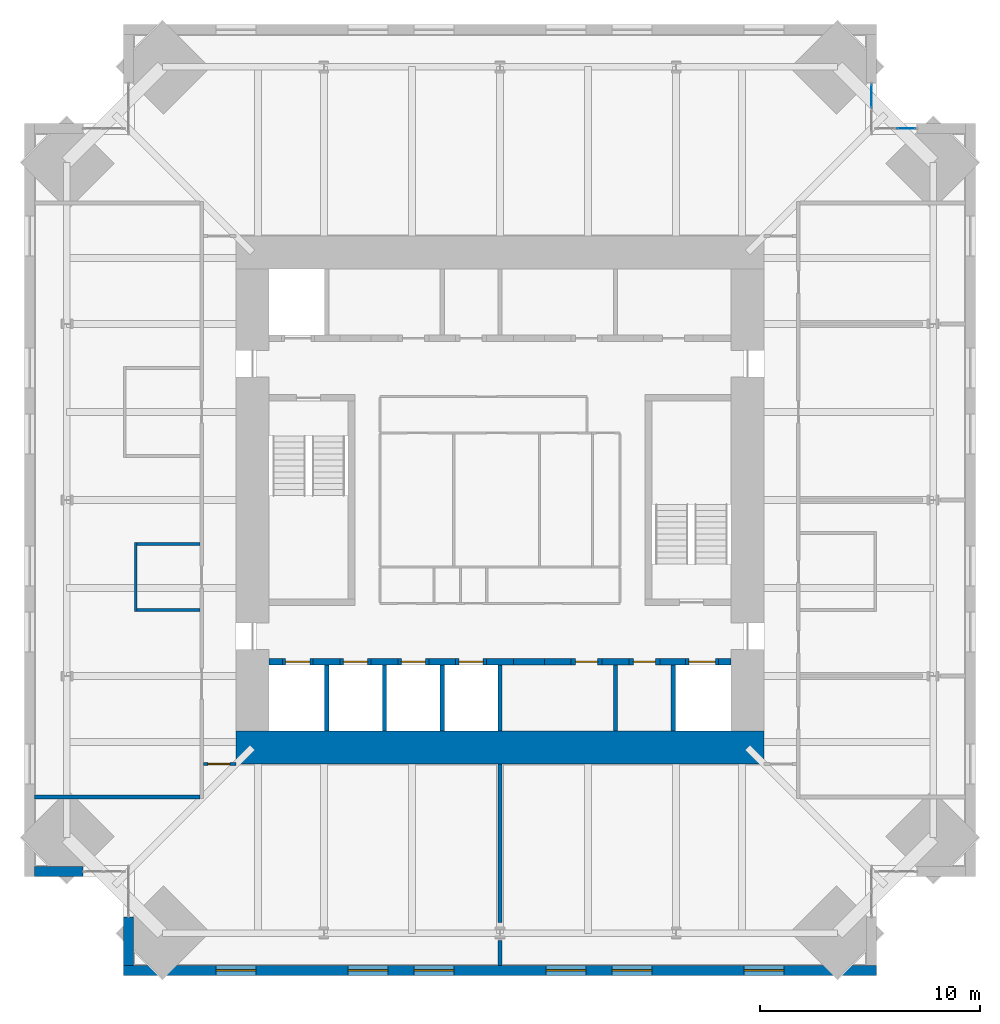
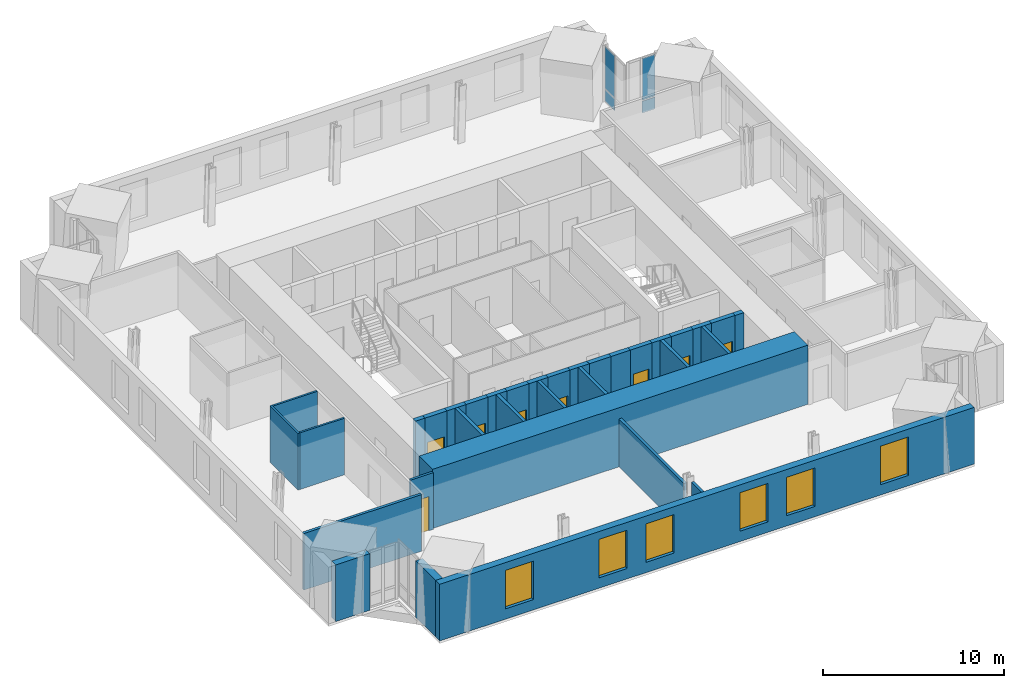
# One storey, part 11 of 16: 34 walls, 8 doors, 6 windows, 4 plates, 14 openings, 2 elements without a shape of their own.
"""IFC4 building model written with IfcOpenShell, lengths in metres."""

from ifc_helpers import new_model, si_unit, direction, frame, frame_2d, origin, origin_2d, place, context, subcontext, project, spatial, rectangle, extrude, material, layer, layer_set, type_object, element, fill, aggregate, save


model = new_model("IFC4")

# Units and contexts
model_context = context("Model", 3, precision=1e-05, world=origin(), true_north=direction((0.0, 1.0)))
body_context = subcontext(model_context, "Body", "Model", "MODEL_VIEW")
ifc_project = project(units=[si_unit("LENGTHUNIT", "METRE"), si_unit("AREAUNIT", "SQUARE_METRE"), si_unit("VOLUMEUNIT", "CUBIC_METRE"), si_unit("PLANEANGLEUNIT", "RADIAN"), si_unit("MASSUNIT", "GRAM", prefix="KILO")], contexts=[model_context])

# Site, building, storey
site_placement = place(None, origin())
site = spatial("IfcSite", under=ifc_project, at=site_placement, CompositionType="ELEMENT")
building_placement = place(site_placement, origin())
building = spatial("IfcBuilding", under=site, at=building_placement, Name="Peilmerk Tower", CompositionType="ELEMENT")
storey_placement = place(building_placement, frame((0.0, 0.0, 277.800048828125)))
storey = spatial("IfcBuildingStorey", under=building, at=storey_placement, Name="L62", CompositionType="ELEMENT", Elevation=277.800048828125)

# Curtain wall, plates
ifc_material_1 = material(Name="Aluminium stick curtain wall", Category="aluminium")
curtain_wall_type = type_object("IfcCurtainWallType", Name="CW4 stick curtain wall, 2250 module", PredefinedType="NOTDEFINED", material=ifc_material_1)
curtain_wall_1_placement = place(storey_placement, origin())
curtain_wall_1 = element("IfcCurtainWall", 1, at=curtain_wall_1_placement, inside=storey, type_object=curtain_wall_type, Name="Curtain wall CW4 NEA L62", PredefinedType="NOTDEFINED")
ifc_material_2 = material(Name="Clear insulated glazing unit", Category="glass")
ifc_layer_1 = layer(ifc_material_2, 0.028076171875)
ifc_layer_set_1 = layer_set([ifc_layer_1], Name="Clear insulated glazing unit")
plate_type = type_object("IfcPlateType", Name="CW4-P 28 glazed panel", PredefinedType="CURTAIN_PANEL", material=ifc_layer_set_1)
plate_1_placement = place(storey_placement, frame((16.875, 18.350341796875, 0.06494140625), z_axis=(0.0, 0.0, 1.0), x_axis=(0.0, 1.0, 0.0)))
plate_1 = element("IfcPlate", 2, at=plate_1_placement, type_object=plate_type, Name="CW4 panel 2.1", PredefinedType="CURTAIN_PANEL", context=body_context, shape_type="SweptSolid", body=[
    extrude(rectangle(XDim=1.046875, YDim=0.028076171875, at=origin_2d()), origin(), (0.0, 0.0, 1.0), 0.802490234375),
])
plate_2_placement = place(storey_placement, frame((16.875, 18.350341796875, 0.932373046875), z_axis=(0.0, 0.0, 1.0), x_axis=(0.0, 1.0, 0.0)))
plate_2 = element("IfcPlate", 3, at=plate_2_placement, type_object=plate_type, Name="CW4 panel 2.2", PredefinedType="CURTAIN_PANEL", context=body_context, shape_type="SweptSolid", body=[
    extrude(rectangle(XDim=1.046875, YDim=0.028076171875, at=origin_2d()), origin(), (0.0, 0.0, 1.0), 2.83251953125),
])
aggregate(curtain_wall_1, [plate_1, plate_2])

curtain_wall_2_placement = place(storey_placement, origin())
curtain_wall_2 = element("IfcCurtainWall", 4, at=curtain_wall_2_placement, inside=storey, type_object=curtain_wall_type, Name="Curtain wall CW4 NEB L62", PredefinedType="NOTDEFINED")
plate_3_placement = place(storey_placement, frame((18.462646484375, 16.875, 0.06494140625), z_axis=(0.0, 0.0, 1.0), x_axis=(1.0, 0.0, 0.0)))
plate_3 = element("IfcPlate", 5, at=plate_3_placement, type_object=plate_type, Name="CW4 panel 2.1", PredefinedType="CURTAIN_PANEL", context=body_context, shape_type="SweptSolid", body=[
    extrude(rectangle(XDim=0.82177734375, YDim=0.028076171875, at=origin_2d()), origin(), (0.0, 0.0, 1.0), 0.802490234375),
])
plate_4_placement = place(storey_placement, frame((18.462646484375, 16.875, 0.932373046875), z_axis=(0.0, 0.0, 1.0), x_axis=(1.0, 0.0, 0.0)))
plate_4 = element("IfcPlate", 6, at=plate_4_placement, type_object=plate_type, Name="CW4 panel 2.2", PredefinedType="CURTAIN_PANEL", context=body_context, shape_type="SweptSolid", body=[
    extrude(rectangle(XDim=0.82177734375, YDim=0.028076171875, at=origin_2d()), origin(), (0.0, 0.0, 1.0), 2.83251953125),
])
aggregate(curtain_wall_2, [plate_3, plate_4])

# Wall, openings, windows
ifc_material_3 = material(Name="Precast concrete C45/55, board-marked finish", Category="concrete")
ifc_layer_2 = layer(ifc_material_3, 0.449951171875)
ifc_layer_set_2 = layer_set([ifc_layer_2], Name="Precast concrete C45/55, board-marked finish")
wall_type_1 = type_object("IfcWallType", Name="EW1 450 precast concrete facade wall, board-marked", PredefinedType="SOLIDWALL", material=ifc_layer_set_2)
wall_1_placement = place(storey_placement, frame((-17.10009765625, -21.375, 0.0), z_axis=(0.0, 0.0, 1.0), x_axis=(1.0, 0.0, 0.0)))
wall_1 = element("IfcWall", 7, at=wall_1_placement, inside=storey, type_object=wall_type_1, Name="Facade wall S L62", PredefinedType="SOLIDWALL", context=body_context, shape_type="SweptSolid", body=[
    extrude(rectangle(XDim=34.2001953125, YDim=0.449951171875, at=frame_2d((17.10009765625, 0.0))), origin(), (0.0, 0.0, 1.0), 3.829833984375),
])
opening_1_placement = place(wall_1_placement, frame((4.199951171875, 0.0, 0.699951171875)))
opening_1 = element("IfcOpeningElement", 8, at=opening_1_placement, cuts=wall_1, Name="Opening W1", PredefinedType="OPENING", context=body_context, shape_type="SweptSolid", body=[
    extrude(rectangle(XDim=1.800048828125, YDim=2.60009765625, at=frame_2d((0.89990234375, 1.300048828125))), frame((0.0, 0.23486328125, 0.0), z_axis=(0.0, -1.0, 0.0), x_axis=(1.0, 0.0, 0.0)), (0.0, 0.0, 1.0), 0.469970703125),
])
opening_2_placement = place(wall_1_placement, frame((10.199951171875, 0.0, 0.699951171875)))
opening_2 = element("IfcOpeningElement", 9, at=opening_2_placement, cuts=wall_1, Name="Opening W1", PredefinedType="OPENING", context=body_context, shape_type="SweptSolid", body=[
    extrude(rectangle(XDim=1.800048828125, YDim=2.60009765625, at=frame_2d((0.89990234375, 1.300048828125))), frame((0.0, 0.23486328125, 0.0), z_axis=(0.0, -1.0, 0.0), x_axis=(1.0, 0.0, 0.0)), (0.0, 0.0, 1.0), 0.469970703125),
])
opening_3_placement = place(wall_1_placement, frame((13.199951171875, 0.0, 0.699951171875)))
opening_3 = element("IfcOpeningElement", 10, at=opening_3_placement, cuts=wall_1, Name="Opening W1", PredefinedType="OPENING", context=body_context, shape_type="SweptSolid", body=[
    extrude(rectangle(XDim=1.800048828125, YDim=2.60009765625, at=frame_2d((0.89990234375, 1.300048828125))), frame((0.0, 0.23486328125, 0.0), z_axis=(0.0, -1.0, 0.0), x_axis=(1.0, 0.0, 0.0)), (0.0, 0.0, 1.0), 0.469970703125),
])
opening_4_placement = place(wall_1_placement, frame((19.199951171875, 0.0, 0.699951171875)))
opening_4 = element("IfcOpeningElement", 11, at=opening_4_placement, cuts=wall_1, Name="Opening W1", PredefinedType="OPENING", context=body_context, shape_type="SweptSolid", body=[
    extrude(rectangle(XDim=1.800048828125, YDim=2.60009765625, at=frame_2d((0.89990234375, 1.300048828125))), frame((0.0, 0.23486328125, 0.0), z_axis=(0.0, -1.0, 0.0), x_axis=(1.0, 0.0, 0.0)), (0.0, 0.0, 1.0), 0.469970703125),
])
opening_5_placement = place(wall_1_placement, frame((22.199951171875, 0.0, 0.699951171875)))
opening_5 = element("IfcOpeningElement", 12, at=opening_5_placement, cuts=wall_1, Name="Opening W1", PredefinedType="OPENING", context=body_context, shape_type="SweptSolid", body=[
    extrude(rectangle(XDim=1.800048828125, YDim=2.60009765625, at=frame_2d((0.89990234375, 1.300048828125))), frame((0.0, 0.23486328125, 0.0), z_axis=(0.0, -1.0, 0.0), x_axis=(1.0, 0.0, 0.0)), (0.0, 0.0, 1.0), 0.469970703125),
])
opening_6_placement = place(wall_1_placement, frame((28.199951171875, 0.0, 0.699951171875)))
opening_6 = element("IfcOpeningElement", 13, at=opening_6_placement, cuts=wall_1, Name="Opening W1", PredefinedType="OPENING", context=body_context, shape_type="SweptSolid", body=[
    extrude(rectangle(XDim=1.800048828125, YDim=2.60009765625, at=frame_2d((0.89990234375, 1.300048828125))), frame((0.0, 0.23486328125, 0.0), z_axis=(0.0, -1.0, 0.0), x_axis=(1.0, 0.0, 0.0)), (0.0, 0.0, 1.0), 0.469970703125),
])
ifc_material_4 = material(Name="Aluminium frame, clear double glazing", Category="aluminium")
window_type = type_object("IfcWindowType", Name="W1 1800x2600 office window", PartitioningType="SINGLE_PANEL", PredefinedType="WINDOW", material=ifc_material_4)
window_1_placement = place(opening_1_placement, origin())
window_1 = element("IfcWindow", 14, at=window_1_placement, inside=storey, type_object=window_type, Name="Window W1 L62", OverallHeight=2.60009765625, OverallWidth=1.800048828125, PartitioningType="SINGLE_PANEL", PredefinedType="WINDOW", context=body_context, shape_type="SweptSolid", body=[
    extrude(rectangle(XDim=1.800048828125, YDim=2.60009765625, at=frame_2d((0.89990234375, 1.300048828125))), frame((0.0, 0.030029296875, 0.0), z_axis=(0.0, -1.0, 0.0), x_axis=(1.0, 0.0, 0.0)), (0.0, 0.0, 1.0), 0.06005859375),
])
fill(opening_1, window_1)
window_2_placement = place(opening_2_placement, origin())
window_2 = element("IfcWindow", 15, at=window_2_placement, inside=storey, type_object=window_type, Name="Window W1 L62", OverallHeight=2.60009765625, OverallWidth=1.800048828125, PartitioningType="SINGLE_PANEL", PredefinedType="WINDOW", context=body_context, shape_type="SweptSolid", body=[
    extrude(rectangle(XDim=1.800048828125, YDim=2.60009765625, at=frame_2d((0.89990234375, 1.300048828125))), frame((0.0, 0.030029296875, 0.0), z_axis=(0.0, -1.0, 0.0), x_axis=(1.0, 0.0, 0.0)), (0.0, 0.0, 1.0), 0.06005859375),
])
fill(opening_2, window_2)
window_3_placement = place(opening_3_placement, origin())
window_3 = element("IfcWindow", 16, at=window_3_placement, inside=storey, type_object=window_type, Name="Window W1 L62", OverallHeight=2.60009765625, OverallWidth=1.800048828125, PartitioningType="SINGLE_PANEL", PredefinedType="WINDOW", context=body_context, shape_type="SweptSolid", body=[
    extrude(rectangle(XDim=1.800048828125, YDim=2.60009765625, at=frame_2d((0.89990234375, 1.300048828125))), frame((0.0, 0.030029296875, 0.0), z_axis=(0.0, -1.0, 0.0), x_axis=(1.0, 0.0, 0.0)), (0.0, 0.0, 1.0), 0.06005859375),
])
fill(opening_3, window_3)
window_4_placement = place(opening_4_placement, origin())
window_4 = element("IfcWindow", 17, at=window_4_placement, inside=storey, type_object=window_type, Name="Window W1 L62", OverallHeight=2.60009765625, OverallWidth=1.800048828125, PartitioningType="SINGLE_PANEL", PredefinedType="WINDOW", context=body_context, shape_type="SweptSolid", body=[
    extrude(rectangle(XDim=1.800048828125, YDim=2.60009765625, at=frame_2d((0.89990234375, 1.300048828125))), frame((0.0, 0.030029296875, 0.0), z_axis=(0.0, -1.0, 0.0), x_axis=(1.0, 0.0, 0.0)), (0.0, 0.0, 1.0), 0.06005859375),
])
fill(opening_4, window_4)
window_5_placement = place(opening_5_placement, origin())
window_5 = element("IfcWindow", 18, at=window_5_placement, inside=storey, type_object=window_type, Name="Window W1 L62", OverallHeight=2.60009765625, OverallWidth=1.800048828125, PartitioningType="SINGLE_PANEL", PredefinedType="WINDOW", context=body_context, shape_type="SweptSolid", body=[
    extrude(rectangle(XDim=1.800048828125, YDim=2.60009765625, at=frame_2d((0.89990234375, 1.300048828125))), frame((0.0, 0.030029296875, 0.0), z_axis=(0.0, -1.0, 0.0), x_axis=(1.0, 0.0, 0.0)), (0.0, 0.0, 1.0), 0.06005859375),
])
fill(opening_5, window_5)
window_6_placement = place(opening_6_placement, origin())
window_6 = element("IfcWindow", 19, at=window_6_placement, inside=storey, type_object=window_type, Name="Window W1 L62", OverallHeight=2.60009765625, OverallWidth=1.800048828125, PartitioningType="SINGLE_PANEL", PredefinedType="WINDOW", context=body_context, shape_type="SweptSolid", body=[
    extrude(rectangle(XDim=1.800048828125, YDim=2.60009765625, at=frame_2d((0.89990234375, 1.300048828125))), frame((0.0, 0.030029296875, 0.0), z_axis=(0.0, -1.0, 0.0), x_axis=(1.0, 0.0, 0.0)), (0.0, 0.0, 1.0), 0.06005859375),
])
fill(opening_6, window_6)

# Walls
for number, where, z_axis, x_axis, name in (
    (20, (-16.875, -18.95361328125, 0.0), (0.0, 0.0, 1.0), (0.0, -1.0, 0.0), "Facade wall SWA L62"),
    (21, (-18.95361328125, -16.875, 0.0), (0.0, 0.0, 1.0), (-1.0, 0.0, 0.0), "Facade wall SWB L62"),
):
    element("IfcWall", number, at=place(storey_placement, frame(where, z_axis=z_axis, x_axis=x_axis)), inside=storey, type_object=wall_type_1, Name=name, PredefinedType="SOLIDWALL", context=body_context, shape_type="SweptSolid", body=[
        extrude(rectangle(XDim=2.1962890625, YDim=0.449951171875, at=frame_2d((1.09814453125, 0.0))), origin(), (0.0, 0.0, 1.0), 3.829833984375),
    ])

# Wall, opening, door
ifc_material_5 = material(Name="Calcium silicate block", Category="masonry")
ifc_layer_3 = layer(ifc_material_5, 0.14990234375)
ifc_layer_set_3 = layer_set([ifc_layer_3], Name="Calcium silicate block")
wall_type_2 = type_object("IfcWallType", Name="IW1 150 corridor partition, EI 60", PredefinedType="PARTITIONING", material=ifc_layer_set_3)
wall_2_placement = place(storey_placement, frame((-12.0, -12.0, 0.0), z_axis=(0.0, 0.0, 1.0), x_axis=(-1.0, 0.0, 0.0)))
wall_2 = element("IfcWall", 22, at=wall_2_placement, inside=storey, type_object=wall_type_2, Name="Corridor wall SW L62", PredefinedType="PARTITIONING", context=body_context, shape_type="SweptSolid", body=[
    extrude(rectangle(XDim=1.47509765625, YDim=0.14990234375, at=frame_2d((0.737548828125, 0.0))), origin(), (0.0, 0.0, 1.0), 3.829833984375),
])
opening_7_placement = place(wall_2_placement, frame((0.27490234375, 0.0, 0.0)))
opening_7 = element("IfcOpeningElement", 23, at=opening_7_placement, cuts=wall_2, Name="Opening D1", PredefinedType="OPENING", context=body_context, shape_type="SweptSolid", body=[
    extrude(rectangle(XDim=1.0, YDim=2.300048828125, at=frame_2d((0.5, 1.14990234375))), frame((0.0, 0.0849609375, 0.0), z_axis=(0.0, -1.0, 0.0), x_axis=(1.0, 0.0, 0.0)), (0.0, 0.0, 1.0), 0.169921875),
])
ifc_material_6 = material(Name="Timber door in steel frame", Category="steel")
door_type_1 = type_object("IfcDoorType", Name="D1 1000x2300 room door, EI2 30", OperationType="SINGLE_SWING_LEFT", PredefinedType="DOOR", material=ifc_material_6)
door_1_placement = place(opening_7_placement, origin())
door_1 = element("IfcDoor", 24, at=door_1_placement, inside=storey, type_object=door_type_1, Name="Door Open workspace L62", OperationType="SINGLE_SWING_LEFT", OverallHeight=2.300048828125, OverallWidth=1.0, PredefinedType="DOOR", context=body_context, shape_type="SweptSolid", body=[
    extrude(rectangle(XDim=1.0, YDim=2.300048828125, at=frame_2d((0.5, 1.14990234375))), frame((0.0, 0.02490234375, 0.0), z_axis=(0.0, -1.0, 0.0), x_axis=(1.0, 0.0, 0.0)), (0.0, 0.0, 1.0), 0.050048828125),
])
fill(opening_7, door_1)

# Walls
ifc_material_7 = material(Name="Plasterboard on steel studs, double boarded with mineral wool", Category="steel")
ifc_layer_4 = layer(ifc_material_7, 0.125)
ifc_layer_set_4 = layer_set([ifc_layer_4], Name="Plasterboard on steel studs, double boarded with mineral wool")
wall_type_3 = type_object("IfcWallType", Name="IW7 125 acoustic partition, EI 30", PredefinedType="PARTITIONING", material=ifc_layer_set_4)
wall_3_placement = place(storey_placement, frame((-16.550048828125, -5.0625, 0.0), z_axis=(0.0, 0.0, 1.0), x_axis=(0.0, 1.0, 0.0)))
element("IfcWall", 25, at=wall_3_placement, inside=storey, type_object=wall_type_3, Name="Acoustic partition Quiet room L62", PredefinedType="PARTITIONING", context=body_context, shape_type="SweptSolid", body=[
    extrude(rectangle(XDim=3.125, YDim=0.125, at=frame_2d((1.5625, 0.0))), origin(), (0.0, 0.0, 1.0), 3.829833984375),
])
for number, where, z_axis, x_axis, name in (
    (26, (-13.625, -5.0, 0.0), (0.0, 0.0, 1.0), (-1.0, 0.0, 0.0), "Acoustic partition Quiet room L62"),
    (27, (-13.625, -2.0, 0.0), (0.0, 0.0, 1.0), (-1.0, 0.0, 0.0), "Acoustic partition Quiet room L62"),
):
    element("IfcWall", number, at=place(storey_placement, frame(where, z_axis=z_axis, x_axis=x_axis)), inside=storey, type_object=wall_type_3, Name=name, PredefinedType="PARTITIONING", context=body_context, shape_type="SweptSolid", body=[
        extrude(rectangle(XDim=2.862548828125, YDim=0.125, at=frame_2d((1.43115234375, 0.0))), origin(), (0.0, 0.0, 1.0), 3.829833984375),
    ])
ifc_layer_5 = layer(ifc_material_5, 0.175048828125)
ifc_layer_set_5 = layer_set([ifc_layer_5], Name="Calcium silicate block")
wall_type_4 = type_object("IfcWallType", Name="IW8 175 tenant separating wall, EI 60", PredefinedType="PARTITIONING", material=ifc_layer_set_5)
wall_4_placement = place(storey_placement, frame((-13.625, -13.5, 0.0), z_axis=(0.0, 0.0, 1.0), x_axis=(-1.0, 0.0, 0.0)))
element("IfcWall", 28, at=wall_4_placement, inside=storey, type_object=wall_type_4, Name="Tenant separating wall SW L62", PredefinedType="PARTITIONING", context=body_context, shape_type="SweptSolid", body=[
    extrude(rectangle(XDim=7.52490234375, YDim=0.175048828125, at=frame_2d((3.762451171875, 0.0))), origin(), (0.0, 0.0, 1.0), 3.829833984375),
])
wall_5_placement = place(storey_placement, frame((0.0, -12.0, 0.0), z_axis=(0.0, 0.0, 1.0), x_axis=(0.0, -1.0, 0.0)))
element("IfcWall", 29, at=wall_5_placement, inside=storey, type_object=wall_type_4, Name="Tenant separating wall S1 L62", PredefinedType="PARTITIONING", context=body_context, shape_type="SweptSolid", body=[
    extrude(rectangle(XDim=7.204345703125, YDim=0.175048828125, at=frame_2d((3.60205078125, 0.0))), origin(), (0.0, 0.0, 1.0), 3.239990234375),
])
wall_6_placement = place(storey_placement, frame((0.0, -20.02490234375, 0.0), z_axis=(0.0, 0.0, 1.0), x_axis=(0.0, -1.0, 0.0)))
element("IfcWall", 30, at=wall_6_placement, inside=storey, type_object=wall_type_4, Name="Tenant separating wall S1b L62", PredefinedType="PARTITIONING", context=body_context, shape_type="SweptSolid", body=[
    extrude(rectangle(XDim=1.125, YDim=0.175048828125, at=frame_2d((0.5625, 0.0))), origin(), (0.0, 0.0, 1.0), 3.829833984375),
])
ifc_layer_6 = layer(ifc_material_5, 0.199951171875)
ifc_layer_set_6 = layer_set([ifc_layer_6], Name="Calcium silicate block")
wall_type_5 = type_object("IfcWallType", Name="SH1 200 shaft dividing wall, EI 120", PredefinedType="PARTITIONING", material=ifc_layer_set_6)
for number, where, z_axis, x_axis, name in (
    (31, (-7.875, -10.5, 0.0), (0.0, 0.0, 1.0), (0.0, 1.0, 0.0), "Shaft wall S C4 L62"),
    (32, (-5.25, -10.5, 0.0), (0.0, 0.0, 1.0), (0.0, 1.0, 0.0), "Shaft wall S C3 L62"),
    (33, (-2.625, -10.5, 0.0), (0.0, 0.0, 1.0), (0.0, 1.0, 0.0), "Shaft wall S C2 L62"),
    (34, (0.0, -10.5, 0.0), (0.0, 0.0, 1.0), (0.0, 1.0, 0.0), "Shaft wall S C1 L62"),
    (35, (5.25, -10.5, 0.0), (0.0, 0.0, 1.0), (0.0, 1.0, 0.0), "Shaft wall S B2 L62"),
    (36, (7.875, -10.5, 0.0), (0.0, 0.0, 1.0), (0.0, 1.0, 0.0), "Shaft wall S B1 L62"),
):
    element("IfcWall", number, at=place(storey_placement, frame(where, z_axis=z_axis, x_axis=x_axis)), inside=storey, type_object=wall_type_5, Name=name, PredefinedType="PARTITIONING", context=body_context, shape_type="SweptSolid", body=[
        extrude(rectangle(XDim=3.0, YDim=0.199951171875, at=frame_2d((1.5, 0.0))), origin(), (0.0, 0.0, 1.0), 4.0),
    ])

# Wall, opening, door
ifc_layer_7 = layer(ifc_material_5, 0.300048828125)
ifc_layer_set_7 = layer_set([ifc_layer_7], Name="Calcium silicate block")
wall_type_6 = type_object("IfcWallType", Name="SH2 300 lift landing door panel, EI 120", PredefinedType="PARTITIONING", material=ifc_layer_set_7)
wall_7_placement = place(storey_placement, frame((-9.887451171875, -7.35009765625, 0.0), z_axis=(0.0, 0.0, 1.0), x_axis=(1.0, 0.0, 0.0)))
wall_7 = element("IfcWall", 37, at=wall_7_placement, inside=storey, type_object=wall_type_6, Name="Lift door panel S C4 L62", PredefinedType="PARTITIONING", context=body_context, shape_type="SweptSolid", body=[
    extrude(rectangle(XDim=1.39990234375, YDim=0.300048828125, at=frame_2d((0.699951171875, 0.0))), origin(), (0.0, 0.0, 1.0), 4.0),
])
opening_8_placement = place(wall_7_placement, frame((0.14990234375, 0.0, 0.0)))
opening_8 = element("IfcOpeningElement", 38, at=opening_8_placement, cuts=wall_7, Name="Opening LD1", PredefinedType="OPENING", context=body_context, shape_type="SweptSolid", body=[
    extrude(rectangle(XDim=1.10009765625, YDim=2.300048828125, at=frame_2d((0.550048828125, 1.14990234375))), frame((0.0, 0.159912109375, 0.0), z_axis=(0.0, -1.0, 0.0), x_axis=(1.0, 0.0, 0.0)), (0.0, 0.0, 1.0), 0.320068359375),
])
ifc_material_8 = material(Name="Stainless steel landing door", Category="steel")
door_type_2 = type_object("IfcDoorType", Name="LD1 1100x2300 lift landing door, sliding, EI2 60", OperationType="SLIDING_TO_LEFT", PredefinedType="DOOR", material=ifc_material_8)
door_2_placement = place(opening_8_placement, origin())
door_2 = element("IfcDoor", 39, at=door_2_placement, inside=storey, type_object=door_type_2, Name="Lift landing door C4 L62", OperationType="SLIDING_TO_LEFT", OverallHeight=2.300048828125, OverallWidth=1.10009765625, PredefinedType="DOOR", context=body_context, shape_type="SweptSolid", body=[
    extrude(rectangle(XDim=1.10009765625, YDim=2.300048828125, at=frame_2d((0.550048828125, 1.14990234375))), frame((0.0, 0.02490234375, 0.0), z_axis=(0.0, -1.0, 0.0), x_axis=(1.0, 0.0, 0.0)), (0.0, 0.0, 1.0), 0.050048828125),
])
fill(opening_8, door_2)

wall_8_placement = place(storey_placement, frame((-7.262451171875, -7.35009765625, 0.0), z_axis=(0.0, 0.0, 1.0), x_axis=(1.0, 0.0, 0.0)))
wall_8 = element("IfcWall", 40, at=wall_8_placement, inside=storey, type_object=wall_type_6, Name="Lift door panel S C3 L62", PredefinedType="PARTITIONING", context=body_context, shape_type="SweptSolid", body=[
    extrude(rectangle(XDim=1.39990234375, YDim=0.300048828125, at=frame_2d((0.699951171875, 0.0))), origin(), (0.0, 0.0, 1.0), 4.0),
])
opening_9_placement = place(wall_8_placement, frame((0.14990234375, 0.0, 0.0)))
opening_9 = element("IfcOpeningElement", 41, at=opening_9_placement, cuts=wall_8, Name="Opening LD1", PredefinedType="OPENING", context=body_context, shape_type="SweptSolid", body=[
    extrude(rectangle(XDim=1.10009765625, YDim=2.300048828125, at=frame_2d((0.550048828125, 1.14990234375))), frame((0.0, 0.159912109375, 0.0), z_axis=(0.0, -1.0, 0.0), x_axis=(1.0, 0.0, 0.0)), (0.0, 0.0, 1.0), 0.320068359375),
])
door_3_placement = place(opening_9_placement, origin())
door_3 = element("IfcDoor", 42, at=door_3_placement, inside=storey, type_object=door_type_2, Name="Lift landing door C3 L62", OperationType="SLIDING_TO_LEFT", OverallHeight=2.300048828125, OverallWidth=1.10009765625, PredefinedType="DOOR", context=body_context, shape_type="SweptSolid", body=[
    extrude(rectangle(XDim=1.10009765625, YDim=2.300048828125, at=frame_2d((0.550048828125, 1.14990234375))), frame((0.0, 0.02490234375, 0.0), z_axis=(0.0, -1.0, 0.0), x_axis=(1.0, 0.0, 0.0)), (0.0, 0.0, 1.0), 0.050048828125),
])
fill(opening_9, door_3)

wall_9_placement = place(storey_placement, frame((-4.637451171875, -7.35009765625, 0.0), z_axis=(0.0, 0.0, 1.0), x_axis=(1.0, 0.0, 0.0)))
wall_9 = element("IfcWall", 43, at=wall_9_placement, inside=storey, type_object=wall_type_6, Name="Lift door panel S C2 L62", PredefinedType="PARTITIONING", context=body_context, shape_type="SweptSolid", body=[
    extrude(rectangle(XDim=1.39990234375, YDim=0.300048828125, at=frame_2d((0.699951171875, 0.0))), origin(), (0.0, 0.0, 1.0), 4.0),
])
opening_10_placement = place(wall_9_placement, frame((0.14990234375, 0.0, 0.0)))
opening_10 = element("IfcOpeningElement", 44, at=opening_10_placement, cuts=wall_9, Name="Opening LD1", PredefinedType="OPENING", context=body_context, shape_type="SweptSolid", body=[
    extrude(rectangle(XDim=1.10009765625, YDim=2.300048828125, at=frame_2d((0.550048828125, 1.14990234375))), frame((0.0, 0.159912109375, 0.0), z_axis=(0.0, -1.0, 0.0), x_axis=(1.0, 0.0, 0.0)), (0.0, 0.0, 1.0), 0.320068359375),
])
door_4_placement = place(opening_10_placement, origin())
door_4 = element("IfcDoor", 45, at=door_4_placement, inside=storey, type_object=door_type_2, Name="Lift landing door C2 L62", OperationType="SLIDING_TO_LEFT", OverallHeight=2.300048828125, OverallWidth=1.10009765625, PredefinedType="DOOR", context=body_context, shape_type="SweptSolid", body=[
    extrude(rectangle(XDim=1.10009765625, YDim=2.300048828125, at=frame_2d((0.550048828125, 1.14990234375))), frame((0.0, 0.02490234375, 0.0), z_axis=(0.0, -1.0, 0.0), x_axis=(1.0, 0.0, 0.0)), (0.0, 0.0, 1.0), 0.050048828125),
])
fill(opening_10, door_4)

wall_10_placement = place(storey_placement, frame((-2.012451171875, -7.35009765625, 0.0), z_axis=(0.0, 0.0, 1.0), x_axis=(1.0, 0.0, 0.0)))
wall_10 = element("IfcWall", 46, at=wall_10_placement, inside=storey, type_object=wall_type_6, Name="Lift door panel S C1 L62", PredefinedType="PARTITIONING", context=body_context, shape_type="SweptSolid", body=[
    extrude(rectangle(XDim=1.39990234375, YDim=0.300048828125, at=frame_2d((0.699951171875, 0.0))), origin(), (0.0, 0.0, 1.0), 4.0),
])
opening_11_placement = place(wall_10_placement, frame((0.14990234375, 0.0, 0.0)))
opening_11 = element("IfcOpeningElement", 47, at=opening_11_placement, cuts=wall_10, Name="Opening LD1", PredefinedType="OPENING", context=body_context, shape_type="SweptSolid", body=[
    extrude(rectangle(XDim=1.10009765625, YDim=2.300048828125, at=frame_2d((0.550048828125, 1.14990234375))), frame((0.0, 0.159912109375, 0.0), z_axis=(0.0, -1.0, 0.0), x_axis=(1.0, 0.0, 0.0)), (0.0, 0.0, 1.0), 0.320068359375),
])
door_5_placement = place(opening_11_placement, origin())
door_5 = element("IfcDoor", 48, at=door_5_placement, inside=storey, type_object=door_type_2, Name="Lift landing door C1 L62", OperationType="SLIDING_TO_LEFT", OverallHeight=2.300048828125, OverallWidth=1.10009765625, PredefinedType="DOOR", context=body_context, shape_type="SweptSolid", body=[
    extrude(rectangle(XDim=1.10009765625, YDim=2.300048828125, at=frame_2d((0.550048828125, 1.14990234375))), frame((0.0, 0.02490234375, 0.0), z_axis=(0.0, -1.0, 0.0), x_axis=(1.0, 0.0, 0.0)), (0.0, 0.0, 1.0), 0.050048828125),
])
fill(opening_11, door_5)

# Wall
wall_11_placement = place(storey_placement, frame((0.612548828125, -7.35009765625, 0.0), z_axis=(0.0, 0.0, 1.0), x_axis=(1.0, 0.0, 0.0)))
element("IfcWall", 49, at=wall_11_placement, inside=storey, type_object=wall_type_6, Name="Lift door panel S B3 L62", PredefinedType="PARTITIONING", context=body_context, shape_type="SweptSolid", body=[
    extrude(rectangle(XDim=1.39990234375, YDim=0.300048828125, at=frame_2d((0.699951171875, 0.0))), origin(), (0.0, 0.0, 1.0), 4.0),
])

# Wall, opening, door
wall_12_placement = place(storey_placement, frame((3.237548828125, -7.35009765625, 0.0), z_axis=(0.0, 0.0, 1.0), x_axis=(1.0, 0.0, 0.0)))
wall_12 = element("IfcWall", 50, at=wall_12_placement, inside=storey, type_object=wall_type_6, Name="Lift door panel S B2 L62", PredefinedType="PARTITIONING", context=body_context, shape_type="SweptSolid", body=[
    extrude(rectangle(XDim=1.39990234375, YDim=0.300048828125, at=frame_2d((0.699951171875, 0.0))), origin(), (0.0, 0.0, 1.0), 4.0),
])
opening_12_placement = place(wall_12_placement, frame((0.199951171875, 0.0, 0.0)))
opening_12 = element("IfcOpeningElement", 51, at=opening_12_placement, cuts=wall_12, Name="Opening D10", PredefinedType="OPENING", context=body_context, shape_type="SweptSolid", body=[
    extrude(rectangle(XDim=1.0, YDim=2.300048828125, at=frame_2d((0.5, 1.14990234375))), frame((0.0, 0.159912109375, 0.0), z_axis=(0.0, -1.0, 0.0), x_axis=(1.0, 0.0, 0.0)), (0.0, 0.0, 1.0), 0.320068359375),
])
ifc_material_9 = material(Name="Steel door in steel frame", Category="steel")
door_type_3 = type_object("IfcDoorType", Name="D10 1000x2300 core room door, EI2 60", OperationType="SINGLE_SWING_RIGHT", PredefinedType="DOOR", material=ifc_material_9)
door_6_placement = place(opening_12_placement, frame((1.0, 0.0, 0.0), z_axis=(0.0, 0.0, 1.0), x_axis=(-1.0, 0.0, 0.0)))
door_6 = element("IfcDoor", 52, at=door_6_placement, inside=storey, type_object=door_type_3, Name="Door Mail room L62", OperationType="SINGLE_SWING_RIGHT", OverallHeight=2.300048828125, OverallWidth=1.0, PredefinedType="DOOR", context=body_context, shape_type="SweptSolid", body=[
    extrude(rectangle(XDim=1.0, YDim=2.300048828125, at=frame_2d((0.5, 1.14990234375))), frame((0.0, 0.02490234375, 0.0), z_axis=(0.0, -1.0, 0.0), x_axis=(1.0, 0.0, 0.0)), (0.0, 0.0, 1.0), 0.050048828125),
])
fill(opening_12, door_6)

wall_13_placement = place(storey_placement, frame((5.862548828125, -7.35009765625, 0.0), z_axis=(0.0, 0.0, 1.0), x_axis=(1.0, 0.0, 0.0)))
wall_13 = element("IfcWall", 53, at=wall_13_placement, inside=storey, type_object=wall_type_6, Name="Lift door panel S B1 L62", PredefinedType="PARTITIONING", context=body_context, shape_type="SweptSolid", body=[
    extrude(rectangle(XDim=1.39990234375, YDim=0.300048828125, at=frame_2d((0.699951171875, 0.0))), origin(), (0.0, 0.0, 1.0), 4.0),
])
opening_13_placement = place(wall_13_placement, frame((0.199951171875, 0.0, 0.0)))
opening_13 = element("IfcOpeningElement", 54, at=opening_13_placement, cuts=wall_13, Name="Opening D10", PredefinedType="OPENING", context=body_context, shape_type="SweptSolid", body=[
    extrude(rectangle(XDim=1.0, YDim=2.300048828125, at=frame_2d((0.5, 1.14990234375))), frame((0.0, 0.159912109375, 0.0), z_axis=(0.0, -1.0, 0.0), x_axis=(1.0, 0.0, 0.0)), (0.0, 0.0, 1.0), 0.320068359375),
])
door_7_placement = place(opening_13_placement, frame((1.0, 0.0, 0.0), z_axis=(0.0, 0.0, 1.0), x_axis=(-1.0, 0.0, 0.0)))
door_7 = element("IfcDoor", 55, at=door_7_placement, inside=storey, type_object=door_type_3, Name="Door Electrical room L62", OperationType="SINGLE_SWING_RIGHT", OverallHeight=2.300048828125, OverallWidth=1.0, PredefinedType="DOOR", context=body_context, shape_type="SweptSolid", body=[
    extrude(rectangle(XDim=1.0, YDim=2.300048828125, at=frame_2d((0.5, 1.14990234375))), frame((0.0, 0.02490234375, 0.0), z_axis=(0.0, -1.0, 0.0), x_axis=(1.0, 0.0, 0.0)), (0.0, 0.0, 1.0), 0.050048828125),
])
fill(opening_13, door_7)

wall_14_placement = place(storey_placement, frame((8.4375, -7.35009765625, 0.0), z_axis=(0.0, 0.0, 1.0), x_axis=(1.0, 0.0, 0.0)))
wall_14 = element("IfcWall", 56, at=wall_14_placement, inside=storey, type_object=wall_type_6, Name="Lift door panel S FL2 L62", PredefinedType="PARTITIONING", context=body_context, shape_type="SweptSolid", body=[
    extrude(rectangle(XDim=1.5, YDim=0.300048828125, at=frame_2d((0.75, 0.0))), origin(), (0.0, 0.0, 1.0), 4.0),
])
opening_14_placement = place(wall_14_placement, frame((0.14990234375, 0.0, 0.0)))
opening_14 = element("IfcOpeningElement", 57, at=opening_14_placement, cuts=wall_14, Name="Opening LD2", PredefinedType="OPENING", context=body_context, shape_type="SweptSolid", body=[
    extrude(rectangle(XDim=1.199951171875, YDim=2.300048828125, at=frame_2d((0.60009765625, 1.14990234375))), frame((0.0, 0.159912109375, 0.0), z_axis=(0.0, -1.0, 0.0), x_axis=(1.0, 0.0, 0.0)), (0.0, 0.0, 1.0), 0.320068359375),
])
door_type_4 = type_object("IfcDoorType", Name="LD2 1200x2300 lift landing door, sliding, EI2 60", OperationType="SLIDING_TO_LEFT", PredefinedType="DOOR", material=ifc_material_8)
door_8_placement = place(opening_14_placement, origin())
door_8 = element("IfcDoor", 58, at=door_8_placement, inside=storey, type_object=door_type_4, Name="Lift landing door FL2 L62", OperationType="SLIDING_TO_LEFT", OverallHeight=2.300048828125, OverallWidth=1.199951171875, PredefinedType="DOOR", context=body_context, shape_type="SweptSolid", body=[
    extrude(rectangle(XDim=1.199951171875, YDim=2.300048828125, at=frame_2d((0.60009765625, 1.14990234375))), frame((0.0, 0.02490234375, 0.0), z_axis=(0.0, -1.0, 0.0), x_axis=(1.0, 0.0, 0.0)), (0.0, 0.0, 1.0), 0.050048828125),
])
fill(opening_14, door_8)

# Walls
ifc_material_10 = material(Name="Concrete C55/67", Category="concrete")
ifc_layer_8 = layer(ifc_material_10, 1.5)
ifc_layer_set_8 = layer_set([ifc_layer_8], Name="Concrete C55/67")
wall_type_7 = type_object("IfcWallType", Name="SW1 1500 core wall", PredefinedType="SHEAR", material=ifc_layer_set_8)
wall_15_placement = place(storey_placement, frame((12.0, -11.25, 0.0), z_axis=(0.0, 0.0, 1.0), x_axis=(-1.0, 0.0, 0.0)))
element("IfcWall", 59, at=wall_15_placement, inside=storey, type_object=wall_type_7, Name="Core wall S L62", PredefinedType="SHEAR", context=body_context, shape_type="SweptSolid", body=[
    extrude(rectangle(XDim=24.0, YDim=1.5, at=frame_2d((12.0, 0.0))), origin(), (0.0, 0.0, 1.0), 4.0),
])
ifc_layer_9 = layer(ifc_material_10, 0.300048828125)
ifc_layer_set_9 = layer_set([ifc_layer_9], Name="Concrete C55/67")
wall_type_8 = type_object("IfcWallType", Name="SW2 300 lift bank pier", PredefinedType="SHEAR", material=ifc_layer_set_9)
wall_16_placement = place(storey_placement, frame((-10.5, -7.35009765625, 0.0), z_axis=(0.0, 0.0, 1.0), x_axis=(1.0, 0.0, 0.0)))
element("IfcWall", 60, at=wall_16_placement, inside=storey, type_object=wall_type_8, Name="Lift bank pier S L62", PredefinedType="SHEAR", context=body_context, shape_type="SweptSolid", body=[
    extrude(rectangle(XDim=0.612548828125, YDim=0.300048828125, at=frame_2d((0.30615234375, 0.0))), origin(), (0.0, 0.0, 1.0), 4.0),
])
for number, where, z_axis, x_axis, name in (
    (61, (-8.487548828125, -7.35009765625, 0.0), (0.0, 0.0, 1.0), (1.0, 0.0, 0.0), "Lift bank pier S L62"),
    (62, (-5.862548828125, -7.35009765625, 0.0), (0.0, 0.0, 1.0), (1.0, 0.0, 0.0), "Lift bank pier S L62"),
    (63, (-3.237548828125, -7.35009765625, 0.0), (0.0, 0.0, 1.0), (1.0, 0.0, 0.0), "Lift bank pier S L62"),
    (64, (-0.612548828125, -7.35009765625, 0.0), (0.0, 0.0, 1.0), (1.0, 0.0, 0.0), "Lift bank pier S L62"),
    (65, (2.012451171875, -7.35009765625, 0.0), (0.0, 0.0, 1.0), (1.0, 0.0, 0.0), "Lift bank pier S L62"),
    (66, (4.637451171875, -7.35009765625, 0.0), (0.0, 0.0, 1.0), (1.0, 0.0, 0.0), "Lift bank pier S L62"),
):
    element("IfcWall", number, at=place(storey_placement, frame(where, z_axis=z_axis, x_axis=x_axis)), inside=storey, type_object=wall_type_8, Name=name, PredefinedType="SHEAR", context=body_context, shape_type="SweptSolid", body=[
        extrude(rectangle(XDim=1.22509765625, YDim=0.300048828125, at=frame_2d((0.612548828125, 0.0))), origin(), (0.0, 0.0, 1.0), 4.0),
    ])
wall_17_placement = place(storey_placement, frame((7.262451171875, -7.35009765625, 0.0), z_axis=(0.0, 0.0, 1.0), x_axis=(1.0, 0.0, 0.0)))
element("IfcWall", 67, at=wall_17_placement, inside=storey, type_object=wall_type_8, Name="Lift bank pier S L62", PredefinedType="SHEAR", context=body_context, shape_type="SweptSolid", body=[
    extrude(rectangle(XDim=1.175048828125, YDim=0.300048828125, at=frame_2d((0.58740234375, 0.0))), origin(), (0.0, 0.0, 1.0), 4.0),
])
wall_18_placement = place(storey_placement, frame((9.9375, -7.35009765625, 0.0), z_axis=(0.0, 0.0, 1.0), x_axis=(1.0, 0.0, 0.0)))
element("IfcWall", 68, at=wall_18_placement, inside=storey, type_object=wall_type_8, Name="Lift bank pier S L62", PredefinedType="SHEAR", context=body_context, shape_type="SweptSolid", body=[
    extrude(rectangle(XDim=0.5625, YDim=0.300048828125, at=frame_2d((0.28125, 0.0))), origin(), (0.0, 0.0, 1.0), 4.0),
])

save(model, "model.ifc")
